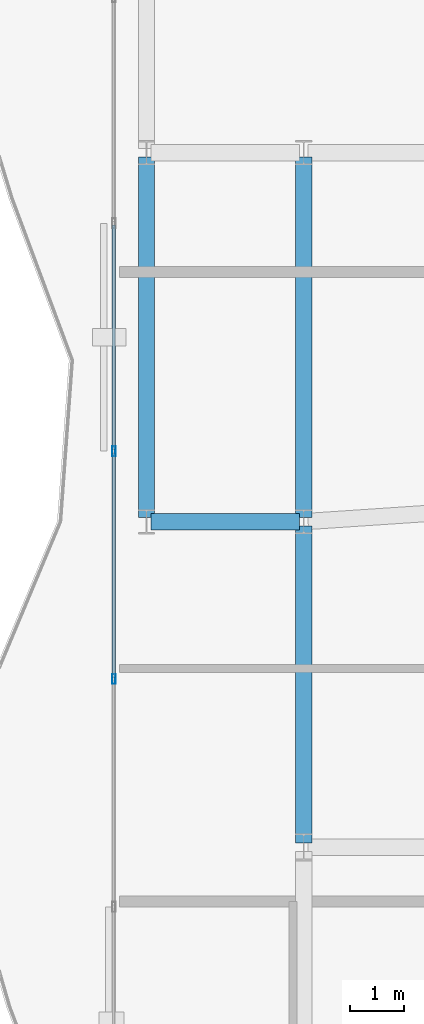
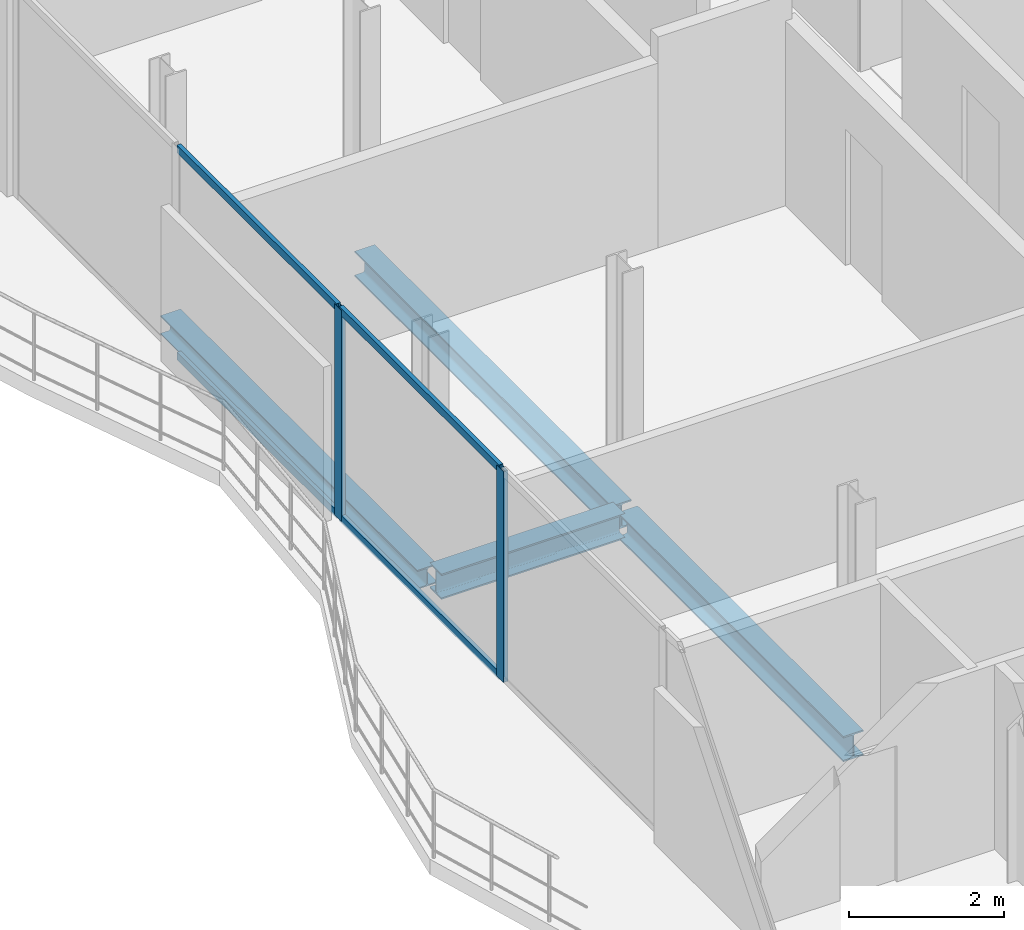
# One storey, part 7 of 23: 6 members, 4 beams, 1 element without a shape of its own.
"""IFC4 building model written with IfcOpenShell, lengths in metres."""

from ifc_helpers import new_model, si_unit, direction, frame, origin, origin_2d, place, context, subcontext, project, spatial, hollow_rectangle, i_section, extrude, material, layer, layer_set, material_profile, profile_set, type_object, element, aggregate, save


model = new_model("IFC4")

# Units and contexts
model_context = context("Model", 3, precision=1e-05, world=origin(), true_north=direction((0.0, 1.0)))
body_context = subcontext(model_context, "Body", "Model", "MODEL_VIEW")
ifc_project = project(units=[si_unit("LENGTHUNIT", "METRE"), si_unit("AREAUNIT", "SQUARE_METRE"), si_unit("VOLUMEUNIT", "CUBIC_METRE"), si_unit("PLANEANGLEUNIT", "RADIAN"), si_unit("MASSUNIT", "GRAM", prefix="KILO")], contexts=[model_context])

# Site, building, storey
site_placement = place(None, origin())
site = spatial("IfcSite", under=ifc_project, at=site_placement, CompositionType="ELEMENT")
building_placement = place(site_placement, origin())
building = spatial("IfcBuilding", under=site, at=building_placement, Name="Catumbela Crestline Tower", CompositionType="ELEMENT")
storey_placement = place(building_placement, frame((0.0, 0.0, 197.4)))
storey = spatial("IfcBuildingStorey", under=building, at=storey_placement, Name="L51", CompositionType="ELEMENT", Elevation=197.4)

# Beams
ifc_material_1 = material(Name="Structural steel S355J2", Category="steel")
ifc_material_profile_1 = material_profile(ifc_material_1, i_section(OverallWidth=0.3, OverallDepth=0.4, WebThickness=0.0135, FlangeThickness=0.024, FilletRadius=0.027, at=origin_2d()), Name="HEB 400")
ifc_profile_set_1 = profile_set([ifc_material_profile_1], Name="Structural steel S355J2")
beam_type_1 = type_object("IfcBeamType", Name="BG-HEB400", PredefinedType="BEAM", material=ifc_profile_set_1)
beam_1_placement = place(storey_placement, frame((5.68, 24.0, -0.46), z_axis=(1.0, 0.0, 0.0), x_axis=(0.0, 1.0, 0.0)))
element("IfcBeam", 1, at=beam_1_placement, inside=storey, type_object=beam_type_1, Name="L51 Beam BM-L51-S01", PredefinedType="BEAM", context=body_context, shape_type="SweptSolid", body=[
    extrude(i_section(OverallWidth=0.3, OverallDepth=0.4, WebThickness=0.0135, FlangeThickness=0.024, FilletRadius=0.027, at=origin_2d()), origin(), (0.0, 0.0, 1.0), 2.74),
])
beam_2_placement = place(storey_placement, frame((8.5, 24.08, -0.46), z_axis=(0.0, 1.0, 0.0), x_axis=(-1.0, 0.0, 0.0)))
element("IfcBeam", 2, at=beam_2_placement, inside=storey, type_object=beam_type_1, Name="L51 Beam BM-L51-SN16", PredefinedType="BEAM", context=body_context, shape_type="SweptSolid", body=[
    extrude(i_section(OverallWidth=0.3, OverallDepth=0.4, WebThickness=0.0135, FlangeThickness=0.024, FilletRadius=0.027, at=origin_2d()), origin(), (0.0, 0.0, 1.0), 6.64),
])
beam_3_placement = place(storey_placement, frame((8.5, 18.08, -0.46), z_axis=(0.0, 1.0, 0.0), x_axis=(-1.0, 0.0, 0.0)))
element("IfcBeam", 3, at=beam_3_placement, inside=storey, type_object=beam_type_1, Name="L51 Beam BM-L51-WNS39", PredefinedType="BEAM", context=body_context, shape_type="SweptSolid", body=[
    extrude(i_section(OverallWidth=0.3, OverallDepth=0.4, WebThickness=0.0135, FlangeThickness=0.024, FilletRadius=0.027, at=origin_2d()), origin(), (0.0, 0.0, 1.0), 5.84),
])

# Curtain wall, members
ifc_material_2 = material(Name="Aluminium alloy AW-6060-T66", Category="aluminium")
ifc_layer = layer(ifc_material_2, 0.18, Name="Aluminium alloy AW-6060-T66")
ifc_layer_set = layer_set([ifc_layer], Name="Aluminium alloy AW-6060-T66")
curtain_wall_type = type_object("IfcCurtainWallType", Name="CWU-Z3", PredefinedType="USERDEFINED", material=ifc_layer_set)
curtain_wall_placement = place(storey_placement, origin())
curtain_wall = element("IfcCurtainWall", 4, at=curtain_wall_placement, inside=storey, type_object=curtain_wall_type, Name="L51 Unitised Curtain Wall CW-L51-E9S2", ObjectType="UNITISED", PredefinedType="USERDEFINED")
ifc_material_profile_2 = material_profile(ifc_material_2, hollow_rectangle(XDim=0.065, YDim=0.18, WallThickness=0.004, at=origin_2d()), Name="ALU 180x65x4")
ifc_profile_set_2 = profile_set([ifc_material_profile_2], Name="Aluminium alloy AW-6060-T66")
member_type_1 = type_object("IfcMemberType", Name="MUL-180X65", PredefinedType="MULLION", material=ifc_profile_set_2)
member_1_placement = place(storey_placement, frame((5.0, 25.3, 0.0), z_axis=(0.0, 0.0, 1.0), x_axis=(1.0, 0.0, 0.0)))
member_1 = element("IfcMember", 5, at=member_1_placement, type_object=member_type_1, Name="CWU-Z3 mullion 3", PredefinedType="MULLION", context=body_context, shape_type="SweptSolid", body=[
    extrude(hollow_rectangle(XDim=0.065, YDim=0.18, WallThickness=0.004, at=origin_2d()), origin(), (0.0, 0.0, 1.0), 3.33),
])
member_2_placement = place(storey_placement, frame((5.0, 21.1, 0.0), z_axis=(0.0, 0.0, 1.0), x_axis=(1.0, 0.0, 0.0)))
member_2 = element("IfcMember", 6, at=member_2_placement, type_object=member_type_1, Name="CWU-Z3 mullion 4", PredefinedType="MULLION", context=body_context, shape_type="SweptSolid", body=[
    extrude(hollow_rectangle(XDim=0.065, YDim=0.18, WallThickness=0.004, at=origin_2d()), origin(), (0.0, 0.0, 1.0), 3.33),
])

# Beam
ifc_material_profile_3 = material_profile(ifc_material_1, i_section(OverallWidth=0.3, OverallDepth=0.3, WebThickness=0.011, FlangeThickness=0.019, FilletRadius=0.027, at=origin_2d()), Name="HEB 300")
ifc_profile_set_3 = profile_set([ifc_material_profile_3], Name="Structural steel S355J2")
beam_type_2 = type_object("IfcBeamType", Name="BS-HEB300", PredefinedType="SPANDREL", material=ifc_profile_set_3)
beam_4_placement = place(storey_placement, frame((5.6, 24.08, -0.41), z_axis=(0.0, 1.0, 0.0), x_axis=(-1.0, 0.0, 0.0)))
element("IfcBeam", 7, at=beam_4_placement, inside=storey, type_object=beam_type_2, Name="L51 Spandrel SP-L51-SN14", PredefinedType="SPANDREL", context=body_context, shape_type="SweptSolid", body=[
    extrude(i_section(OverallWidth=0.3, OverallDepth=0.3, WebThickness=0.011, FlangeThickness=0.019, FilletRadius=0.027, at=origin_2d()), origin(), (0.0, 0.0, 1.0), 6.64),
])

# Member
ifc_material_profile_4 = material_profile(ifc_material_2, hollow_rectangle(XDim=0.06, YDim=0.12, WallThickness=0.0035, at=origin_2d()), Name="ALU 120x60x3.5")
ifc_profile_set_4 = profile_set([ifc_material_profile_4], Name="Aluminium alloy AW-6060-T66")
member_type_2 = type_object("IfcMemberType", Name="TRN-120X60", PredefinedType="USERDEFINED", material=ifc_profile_set_4)
member_3_placement = place(storey_placement, frame((5.0, 29.4675, 0.03), z_axis=(0.0, -1.0, 0.0), x_axis=(1.0, 0.0, 0.0)))
member_3 = element("IfcMember", 8, at=member_3_placement, type_object=member_type_2, Name="CWU-Z3 transom 2.1", ObjectType="TRANSOM", PredefinedType="USERDEFINED", context=body_context, shape_type="SweptSolid", body=[
    extrude(hollow_rectangle(XDim=0.06, YDim=0.12, WallThickness=0.0035, at=origin_2d()), origin(), (0.0, 0.0, 1.0), 4.135),
])

member_4_placement = place(storey_placement, frame((5.0, 29.4675, 3.3), z_axis=(0.0, -1.0, 0.0), x_axis=(1.0, 0.0, 0.0)))
member_4 = element("IfcMember", 9, at=member_4_placement, type_object=member_type_2, Name="CWU-Z3 transom 2.2", ObjectType="TRANSOM", PredefinedType="USERDEFINED", context=body_context, shape_type="SweptSolid", body=[
    extrude(hollow_rectangle(XDim=0.06, YDim=0.12, WallThickness=0.0035, at=origin_2d()), origin(), (0.0, 0.0, 1.0), 4.135),
])

member_5_placement = place(storey_placement, frame((5.0, 25.2675, 0.03), z_axis=(0.0, -1.0, 0.0), x_axis=(1.0, 0.0, 0.0)))
member_5 = element("IfcMember", 10, at=member_5_placement, type_object=member_type_2, Name="CWU-Z3 transom 3.1", ObjectType="TRANSOM", PredefinedType="USERDEFINED", context=body_context, shape_type="SweptSolid", body=[
    extrude(hollow_rectangle(XDim=0.06, YDim=0.12, WallThickness=0.0035, at=origin_2d()), origin(), (0.0, 0.0, 1.0), 4.135),
])

member_6_placement = place(storey_placement, frame((5.0, 25.2675, 3.3), z_axis=(0.0, -1.0, 0.0), x_axis=(1.0, 0.0, 0.0)))
member_6 = element("IfcMember", 11, at=member_6_placement, type_object=member_type_2, Name="CWU-Z3 transom 3.2", ObjectType="TRANSOM", PredefinedType="USERDEFINED", context=body_context, shape_type="SweptSolid", body=[
    extrude(hollow_rectangle(XDim=0.06, YDim=0.12, WallThickness=0.0035, at=origin_2d()), origin(), (0.0, 0.0, 1.0), 4.135),
])

aggregate(curtain_wall, [member_1, member_2, member_3, member_4, member_5, member_6])

save(model, "model.ifc")
